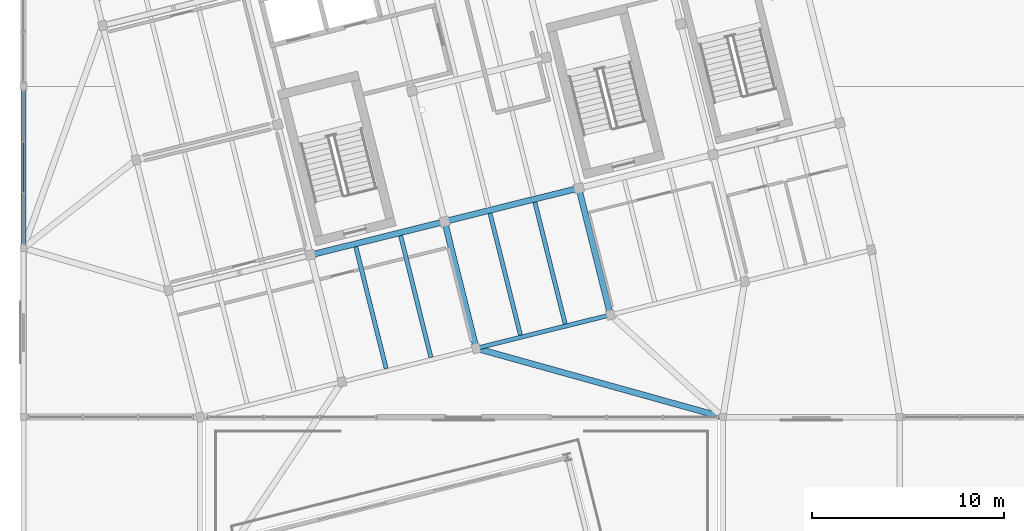
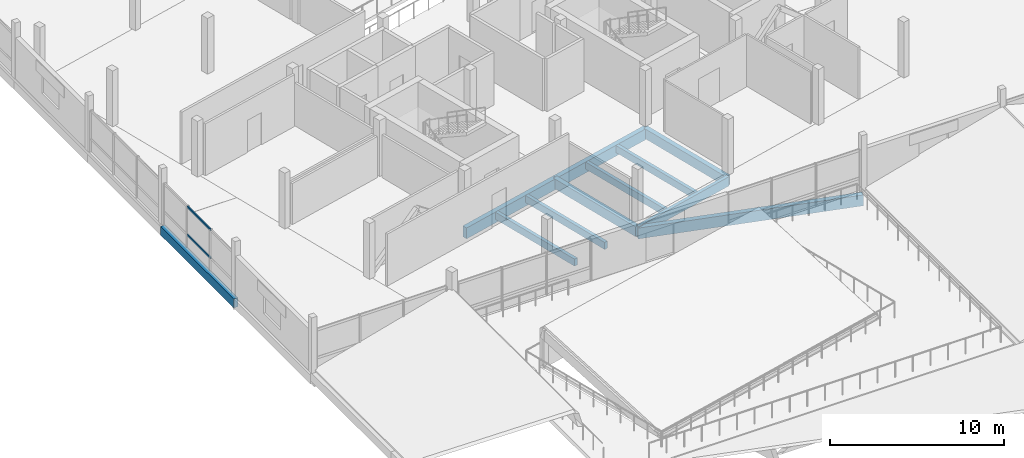
# One storey, part 12 of 39: 11 beams, 2 members, 1 element without a shape of its own.
"""IFC4 building model written with IfcOpenShell, lengths in metres."""

from ifc_helpers import new_model, si_unit, direction, frame, origin, origin_2d, place, context, subcontext, project, spatial, rectangle, hollow_rectangle, extrude, material, layer, layer_set, material_profile, profile_set, type_object, element, aggregate, save


model = new_model("IFC4")

# Units and contexts
model_context = context("Model", 3, precision=1e-05, world=origin(), true_north=direction((0.0, 1.0)))
body_context = subcontext(model_context, "Body", "Model", "MODEL_VIEW")
ifc_project = project(units=[si_unit("LENGTHUNIT", "METRE"), si_unit("AREAUNIT", "SQUARE_METRE"), si_unit("VOLUMEUNIT", "CUBIC_METRE"), si_unit("PLANEANGLEUNIT", "RADIAN"), si_unit("MASSUNIT", "GRAM", prefix="KILO")], contexts=[model_context])

# Site, building, storey
site_placement = place(None, origin())
site = spatial("IfcSite", under=ifc_project, at=site_placement, CompositionType="ELEMENT")
building_placement = place(site_placement, origin())
building = spatial("IfcBuilding", under=site, at=building_placement, Name="Meriwether Solvik Hall", CompositionType="ELEMENT")
storey_placement = place(building_placement, frame((0.0, 0.0, 22.199951171875)))
storey = spatial("IfcBuildingStorey", under=building, at=storey_placement, Name="L05", CompositionType="ELEMENT", Elevation=22.199951171875)

# Beams
ifc_material_1 = material(Name="Glulam Douglas-Fir 24F-V8 GL28h", Category="wood")
ifc_material_profile_1 = material_profile(ifc_material_1, rectangle(XDim=0.221923828125, YDim=0.64501953125, at=origin_2d()), Name="GLB-222X645")
ifc_profile_set_1 = profile_set([ifc_material_profile_1], Name="Glulam Douglas-Fir 24F-V8 GL28h")
beam_type_1 = type_object("IfcBeamType", Name="BM-GL-222X645", PredefinedType="SPANDREL", material=ifc_profile_set_1)
beam_1_placement = place(storey_placement, frame((82.96044921875, 44.780517578125, -0.5673828125), z_axis=(0.970299871507, 0.241905269381, 0.0), x_axis=(-0.241905269381, 0.970299871507, 0.0)))
element("IfcBeam", 1, at=beam_1_placement, inside=storey, type_object=beam_type_1, Name="Tower Girder TA:T3-T4 (L05)", PredefinedType="SPANDREL", context=body_context, shape_type="SweptSolid", body=[
    extrude(rectangle(XDim=0.221923828125, YDim=0.64501953125, at=origin_2d()), origin(), (0.0, 0.0, 1.0), 7.199951171875),
])
ifc_material_2 = material(Name="Glulam Douglas-Fir 24F-V8 GL28h", Category="wood")
ifc_material_profile_2 = material_profile(ifc_material_2, rectangle(XDim=0.27294921875, YDim=0.610107421875, at=origin_2d()), Name="GLB-273X610")
ifc_profile_set_2 = profile_set([ifc_material_profile_2], Name="Glulam Douglas-Fir 24F-V8 GL28h")
beam_type_2 = type_object("IfcBeamType", Name="BM-GL-273X610", PredefinedType="SPANDREL", material=ifc_profile_set_2)
beam_2_placement = place(storey_placement, frame((59.39990234375, 50.0, -0.550048828125), z_axis=(0.0, 1.0, 0.0), x_axis=(-1.0, 0.0, 0.0)))
element("IfcBeam", 2, at=beam_2_placement, inside=storey, type_object=beam_type_2, Name="Podium Girder 7:F-G (L05)", PredefinedType="SPANDREL", context=body_context, shape_type="SweptSolid", body=[
    extrude(rectangle(XDim=0.27294921875, YDim=0.610107421875, at=origin_2d()), origin(), (0.0, 0.0, 1.0), 8.39990234375),
])
ifc_material_3 = material(Name="Glulam Douglas-Fir 24F-V8 GL28h", Category="wood")
ifc_material_profile_3 = material_profile(ifc_material_3, rectangle(XDim=0.31494140625, YDim=0.68505859375, at=origin_2d()), Name="GLB-315X685")
ifc_profile_set_3 = profile_set([ifc_material_profile_3], Name="Glulam Douglas-Fir 24F-V8 GL28h")
beam_type_3 = type_object("IfcBeamType", Name="BM-GL-315X685", PredefinedType="BEAM", material=ifc_profile_set_3)
beam_3_placement = place(storey_placement, frame((82.96044921875, 44.780517578125, -0.58740234375), z_axis=(-0.241918877831, 0.970296478685, 0.0), x_axis=(-0.970296478685, -0.241918877831, 0.0)))
element("IfcBeam", 3, at=beam_3_placement, inside=storey, type_object=beam_type_3, Name="Tower Girder T3:TA-TB (L05)", PredefinedType="BEAM", context=body_context, shape_type="SweptSolid", body=[
    extrude(rectangle(XDim=0.31494140625, YDim=0.68505859375, at=origin_2d()), origin(), (0.0, 0.0, 1.0), 6.7998046875),
])
beam_4_placement = place(storey_placement, frame((89.946533203125, 46.522216796875, -0.58740234375), z_axis=(-0.24191045034, 0.970298579828, 0.0), x_axis=(-0.970298579828, -0.24191045034, 0.0)))
element("IfcBeam", 4, at=beam_4_placement, inside=storey, type_object=beam_type_3, Name="Tower Girder T4:TA-TB (L05)", PredefinedType="BEAM", context=body_context, shape_type="SweptSolid", body=[
    extrude(rectangle(XDim=0.31494140625, YDim=0.68505859375, at=origin_2d()), origin(), (0.0, 0.0, 1.0), 6.800048828125),
])
ifc_material_4 = material(Name="Glulam Douglas-Fir 24F-V8 GL28h", Category="wood")
ifc_material_profile_4 = material_profile(ifc_material_4, rectangle(XDim=0.31494140625, YDim=0.760009765625, at=origin_2d()), Name="GLB-315X760")
ifc_profile_set_4 = profile_set([ifc_material_profile_4], Name="Glulam Douglas-Fir 24F-V8 GL28h")
beam_type_4 = type_object("IfcBeamType", Name="BM-GL-315X760", PredefinedType="BEAM", material=ifc_profile_set_4)
beam_5_placement = place(storey_placement, frame((82.96044921875, 44.780517578125, -0.679931640625), z_axis=(0.963246352106, -0.268619554676, 0.0), x_axis=(0.268619554676, 0.963246352106, 0.0)))
element("IfcBeam", 5, at=beam_5_placement, inside=storey, type_object=beam_type_4, Name="Diaphragm Collector Girder T3/TA-11/E (L05)", PredefinedType="BEAM", context=body_context, shape_type="SweptSolid", body=[
    extrude(rectangle(XDim=0.31494140625, YDim=0.760009765625, at=origin_2d()), origin(), (0.0, 0.0, 1.0), 13.32958984375),
])
beam_6_placement = place(storey_placement, frame((74.3291015625, 49.63671875, -0.625), z_axis=(0.970301855688, 0.241897310542, 0.0), x_axis=(-0.241897310542, 0.970301855688, 0.0)))
element("IfcBeam", 6, at=beam_6_placement, inside=storey, type_object=beam_type_4, Name="Tower Girder TB:T2-T3 (L05)", PredefinedType="BEAM", context=body_context, shape_type="SweptSolid", body=[
    extrude(rectangle(XDim=0.31494140625, YDim=0.760009765625, at=origin_2d()), origin(), (0.0, 0.0, 1.0), 7.2001953125),
])
beam_7_placement = place(storey_placement, frame((81.3154296875, 51.37841796875, -0.625), z_axis=(0.970291911955, 0.241937193493, 0.0), x_axis=(-0.241937193493, 0.970291911955, 0.0)))
element("IfcBeam", 7, at=beam_7_placement, inside=storey, type_object=beam_type_4, Name="Tower Girder TB:T3-T4 (L05)", PredefinedType="BEAM", context=body_context, shape_type="SweptSolid", body=[
    extrude(rectangle(XDim=0.31494140625, YDim=0.760009765625, at=origin_2d()), origin(), (0.0, 0.0, 1.0), 7.199951171875),
])

# Curtain wall, members
ifc_material_5 = material(Name="Thermally Broken Anodised Aluminium 6063-T6 and Low-E Glass", Category="aluminium")
ifc_layer = layer(ifc_material_5, 0.179931640625)
ifc_layer_set = layer_set([ifc_layer], Name="Thermally Broken Anodised Aluminium 6063-T6 and Low-E Glass")
curtain_wall_type = type_object("IfcCurtainWallType", Name="CW-UNIT-E", PredefinedType="USERDEFINED", material=ifc_layer_set)
curtain_wall_placement = place(storey_placement, origin())
curtain_wall = element("IfcCurtainWall", 8, at=curtain_wall_placement, inside=storey, type_object=curtain_wall_type, Name="Curtain Wall wing_Y7_6_13 (L05)", ObjectType="UNITISED CURTAIN WALL", PredefinedType="USERDEFINED")
ifc_material_6 = material(Name="Anodised Aluminium 6063-T6", Category="aluminium")
ifc_material_profile_5 = material_profile(ifc_material_6, hollow_rectangle(XDim=0.070068359375, YDim=0.14990234375, WallThickness=0.0048828125, at=origin_2d()), Name="CWT-70X150")
ifc_profile_set_5 = profile_set([ifc_material_profile_5], Name="Anodised Aluminium 6063-T6")
member_type = type_object("IfcMemberType", Name="CW-TRN-70X150", PredefinedType="USERDEFINED", material=ifc_profile_set_5)
member_1_placement = place(storey_placement, frame((59.39990234375, 52.86474609375, 0.864013671875), z_axis=(0.0, 1.0, 0.0), x_axis=(-1.0, 0.0, 0.0)))
member_1 = element("IfcMember", 9, at=member_1_placement, type_object=member_type, Name="Curtain Wall Transom 2-sill", ObjectType="TRANSOM", PredefinedType="USERDEFINED", context=body_context, shape_type="SweptSolid", body=[
    extrude(hollow_rectangle(XDim=0.070068359375, YDim=0.14990234375, WallThickness=0.0048828125, at=origin_2d()), origin(), (0.0, 0.0, 1.0), 2.67041015625),
])
member_2_placement = place(storey_placement, frame((59.39990234375, 52.86474609375, 2.820068359375), z_axis=(0.0, 1.0, 0.0), x_axis=(-1.0, 0.0, 0.0)))
member_2 = element("IfcMember", 10, at=member_2_placement, type_object=member_type, Name="Curtain Wall Transom 2-head", ObjectType="TRANSOM", PredefinedType="USERDEFINED", context=body_context, shape_type="SweptSolid", body=[
    extrude(hollow_rectangle(XDim=0.070068359375, YDim=0.14990234375, WallThickness=0.0048828125, at=origin_2d()), origin(), (0.0, 0.0, 1.0), 2.67041015625),
])
aggregate(curtain_wall, [member_1, member_2])

# Beams
ifc_material_7 = material(Name="Glulam Douglas-Fir 24F-V8 GL28h", Category="wood")
ifc_material_profile_6 = material_profile(ifc_material_7, rectangle(XDim=0.221923828125, YDim=0.4951171875, at=origin_2d()), Name="GLJ-222X495")
ifc_profile_set_6 = profile_set([ifc_material_profile_6], Name="Glulam Douglas-Fir 24F-V8 GL28h")
beam_type_5 = type_object("IfcBeamType", Name="JST-GL-222X495", PredefinedType="JOIST", material=ifc_profile_set_6)
for number, where, z_axis, x_axis, name in (
    (11, (78.27734375, 43.72216796875, -0.492431640625), (-0.241920861923, 0.970295984, 0.0), (-0.970295984, -0.241920861923, 0.0), "Glulam Floor Joist T2/TA-J1 (L05)"),
    (12, (80.60595703125, 44.302734375, -0.492431640625), (-0.241920861923, 0.970295984, 0.0), (-0.970295984, -0.241920861923, 0.0), "Glulam Floor Joist T2/TA-J2 (L05)"),
    (13, (85.263427734375, 45.4638671875, -0.492431640625), (-0.241920861923, 0.970295984, 0.0), (-0.970295984, -0.241920861923, 0.0), "Glulam Floor Joist T3/TA-J1 (L05)"),
    (14, (87.592041015625, 46.04443359375, -0.492431640625), (-0.241920861923, 0.970295984, 0.0), (-0.970295984, -0.241920861923, 0.0), "Glulam Floor Joist T3/TA-J2 (L05)"),
):
    element("IfcBeam", number, at=place(storey_placement, frame(where, z_axis=z_axis, x_axis=x_axis)), inside=storey, type_object=beam_type_5, Name=name, PredefinedType="JOIST", context=body_context, shape_type="SweptSolid", body=[
        extrude(rectangle(XDim=0.221923828125, YDim=0.4951171875, at=origin_2d()), origin(), (0.0, 0.0, 1.0), 6.54150390625),
    ])

save(model, "model.ifc")
